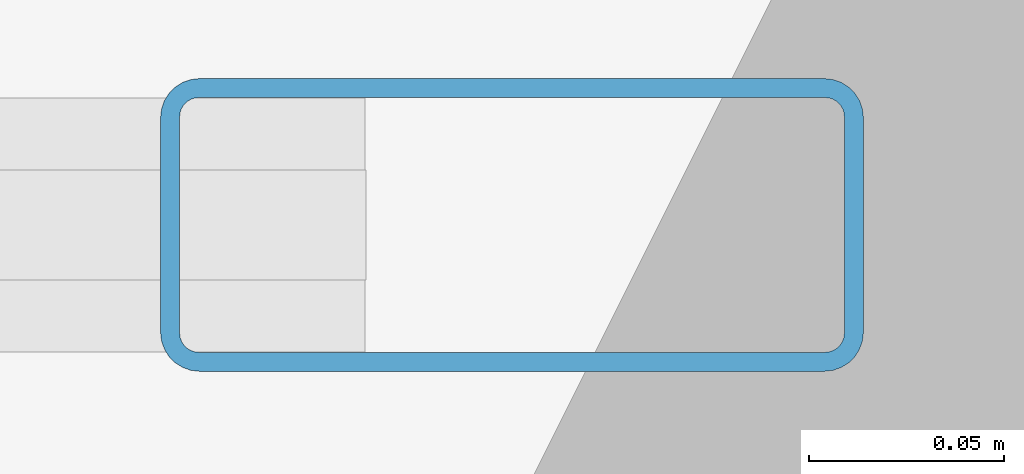
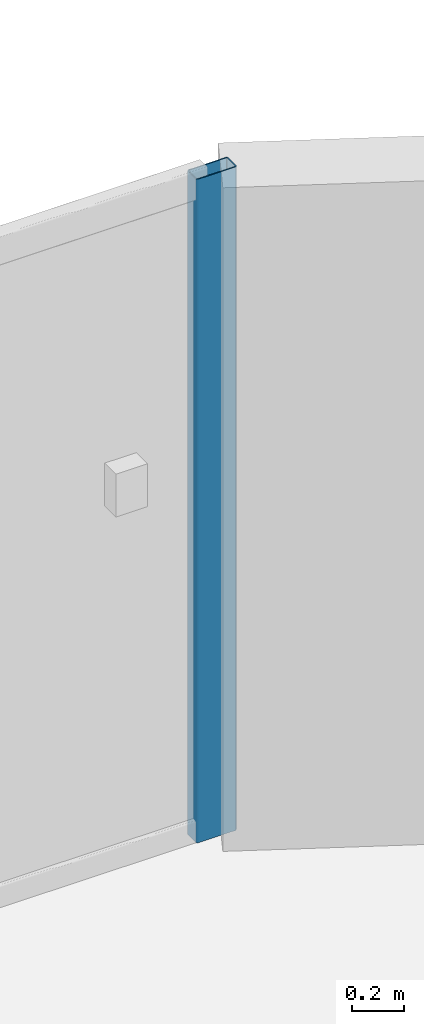
# One storey, part 8 of 22: 1 member, 1 element without a shape of its own.
"""IFC4 building model written with IfcOpenShell, lengths in metres."""

from ifc_helpers import new_model, si_unit, direction, frame, origin, origin_2d, place, context, subcontext, project, spatial, hollow_rectangle, extrude, material, layer, layer_set, material_profile, profile_set, type_object, element, aggregate, save


model = new_model("IFC4")

# Units and contexts
model_context = context("Model", 3, precision=1e-05, world=origin(), true_north=direction((0.0, 1.0)))
body_context = subcontext(model_context, "Body", "Model", "MODEL_VIEW")
ifc_project = project(units=[si_unit("LENGTHUNIT", "METRE"), si_unit("AREAUNIT", "SQUARE_METRE"), si_unit("VOLUMEUNIT", "CUBIC_METRE"), si_unit("PLANEANGLEUNIT", "RADIAN"), si_unit("MASSUNIT", "GRAM", prefix="KILO")], contexts=[model_context])

# Site, building, storey
site_placement = place(None, origin())
site = spatial("IfcSite", under=ifc_project, at=site_placement, CompositionType="ELEMENT")
building_placement = place(site_placement, origin())
building = spatial("IfcBuilding", under=site, at=building_placement, Name="Tarnavaz Court Tower", CompositionType="ELEMENT")
storey_placement = place(building_placement, frame((0.0, 0.0, 27.35009765625)))
storey = spatial("IfcBuildingStorey", under=building, at=storey_placement, Name="L06", CompositionType="ELEMENT", Elevation=27.35009765625)

# Curtain wall, member
ifc_material_1 = material(Name="Anodised Aluminium 6063-T6 and Solar Low-E Glazing", Category="aluminium")
ifc_layer = layer(ifc_material_1, 0.179931640625)
ifc_layer_set = layer_set([ifc_layer], Name="Anodised Aluminium 6063-T6 and Solar Low-E Glazing")
curtain_wall_type = type_object("IfcCurtainWallType", Name="CW-SYS-02", PredefinedType="NOTDEFINED", material=ifc_layer_set)
curtain_wall_placement = place(storey_placement, origin())
curtain_wall = element("IfcCurtainWall", 1, at=curtain_wall_placement, inside=storey, type_object=curtain_wall_type, Name="L06 Iwan Prow Curtain Wall 7", PredefinedType="NOTDEFINED")
ifc_material_2 = material(Name="Anodised Aluminium 6063-T6", Category="aluminium")
ifc_material_profile = material_profile(ifc_material_2, hollow_rectangle(XDim=0.074951171875, YDim=0.179931640625, WallThickness=0.0048828125, InnerFilletRadius=0.0048828125, OuterFilletRadius=0.010009765625, at=origin_2d()), Name="ALU RHS 180X75X5")
ifc_profile_set = profile_set([ifc_material_profile], Name="Anodised Aluminium 6063-T6")
member_type = type_object("IfcMemberType", Name="CW-MUL-180", PredefinedType="MULLION", material=ifc_profile_set)
member_placement = place(storey_placement, frame((4.3125, 25.050048828125, 0.0), z_axis=(0.0, 0.0, 1.0), x_axis=(0.0, 1.0, 0.0)))
member = element("IfcMember", 2, at=member_placement, type_object=member_type, Name="CW mullion 4", PredefinedType="MULLION", context=body_context, shape_type="SweptSolid", body=[
    extrude(hollow_rectangle(XDim=0.074951171875, YDim=0.179931640625, WallThickness=0.0048828125, InnerFilletRadius=0.0048828125, OuterFilletRadius=0.010009765625, at=origin_2d()), origin(), (0.0, 0.0, 1.0), 3.099853515625),
])
aggregate(curtain_wall, [member])

save(model, "model.ifc")
